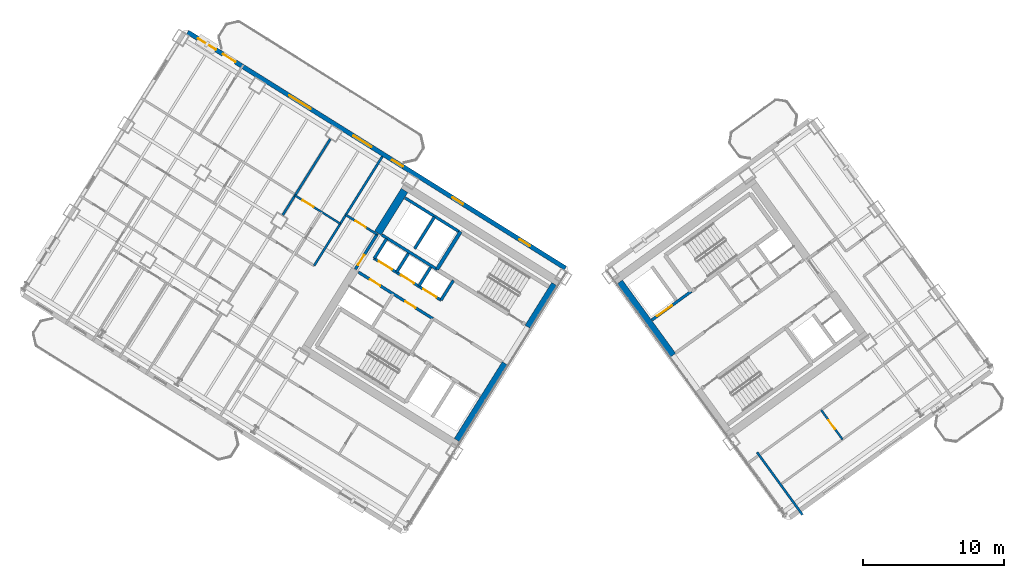
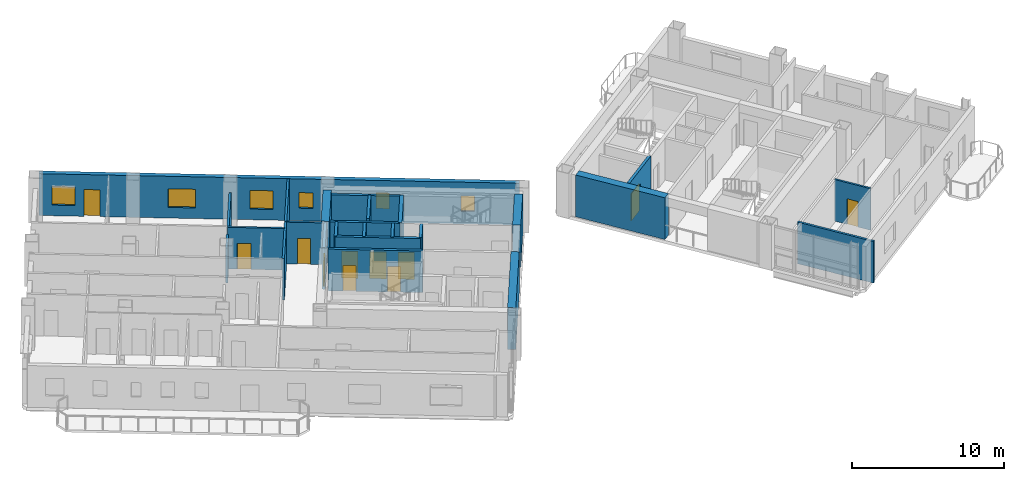
# One storey, part 12 of 19: 23 walls, 11 doors, 6 windows, 17 openings.
"""IFC4 building model written with IfcOpenShell, lengths in metres."""

import ifcopenshell
import ifcopenshell.guid

model = None  # the IFC model being written
_history = None  # IfcOwnerHistory: only IFC2X3 demands one
_inside = {}  # id of a spatial element -> (the spatial element, [elements in it])
_under = {}  # id of a project, library or spatial element -> (it, [spatial elements below it])
_declared = {}  # id of a project -> (the project, [libraries it declares])
_typed = {}  # id of a type object -> (the type object, [elements of that type])
_made_of = {}  # id of a material, layer set ... -> (it, [elements and type objects made of it])


def new_model(schema):
    """Start an empty IFC model of exactly this schema.

    Asked for "IFC4X3", IfcOpenShell would pick the latest addendum, in which some entities
    have other attributes; the version numbers below select the first issue.
    IFC2X3 requires an IfcOwnerHistory on every rooted entity: one is made here for all.
    """
    global model, _history
    if schema == "IFC4X3":
        model = ifcopenshell.file(schema_version=(4, 3, 0, 0))
    else:
        model = ifcopenshell.file(schema=schema)
    _inside.clear()
    _under.clear()
    _declared.clear()
    _typed.clear()
    _made_of.clear()
    _history = None
    if model.schema == "IFC2X3":
        org = make("IfcOrganization", Name="unknown")
        user = make(
            "IfcPersonAndOrganization",
            ThePerson=make("IfcPerson", FamilyName="unknown"),
            TheOrganization=org,
        )
        app = make(
            "IfcApplication",
            ApplicationDeveloper=org,
            Version="unknown",
            ApplicationFullName="unknown",
            ApplicationIdentifier="unknown",
        )
        _history = make(
            "IfcOwnerHistory",
            OwningUser=user,
            OwningApplication=app,
            ChangeAction="ADDED",
            CreationDate=0,
        )
    return model


def make(cls, **values):
    """One entity of the class cls with the attributes given. An attribute that is None is left unset."""
    return model.create_entity(
        cls, **{name: value for name, value in values.items() if value is not None}
    )


def rooted(cls, **values):
    """An entity with a GlobalId (a new one), such as an element, a storey or a relation."""
    return make(cls, GlobalId=ifcopenshell.guid.new(), OwnerHistory=_history, **values)


def si_unit(unit_type, name, prefix=None):
    """IfcSIUnit, for example si_unit("LENGTHUNIT", "METRE", prefix="MILLI")."""
    return make("IfcSIUnit", UnitType=unit_type, Prefix=prefix, Name=name)


def assignment(units):
    """IfcUnitAssignment: the units of a project."""
    return None if units is None else make("IfcUnitAssignment", Units=units)


def point(xyz):
    """IfcCartesianPoint."""
    return None if xyz is None else make("IfcCartesianPoint", Coordinates=xyz)


def direction(xyz):
    """IfcDirection."""
    return None if xyz is None else make("IfcDirection", DirectionRatios=xyz)


def frame(location, z_axis=None, x_axis=None):
    """IfcAxis2Placement3D, a coordinate frame: its origin and axes. An axis left out is left unset."""
    return make(
        "IfcAxis2Placement3D",
        Location=point(location),
        Axis=direction(z_axis),
        RefDirection=direction(x_axis),
    )


def frame_2d(location, x_axis=None):
    """IfcAxis2Placement2D, a coordinate frame in the plane: its origin and x axis."""
    return make(
        "IfcAxis2Placement2D", Location=point(location), RefDirection=direction(x_axis)
    )


def origin():
    """The frame at (0, 0, 0) with its axes left unset."""
    return frame((0.0, 0.0, 0.0))


def place(relative_to, where):
    """IfcLocalPlacement: puts the frame where relative to a parent placement (None: the world)."""
    return make(
        "IfcLocalPlacement", PlacementRelTo=relative_to, RelativePlacement=where
    )


def context(
    kind, dimensions, precision=None, world=None, true_north=None, identifier=None
):
    """IfcGeometricRepresentationContext, for example the 3D "Model" context."""
    return make(
        "IfcGeometricRepresentationContext",
        ContextIdentifier=identifier,
        ContextType=kind,
        CoordinateSpaceDimension=dimensions,
        Precision=precision,
        WorldCoordinateSystem=world,
        TrueNorth=true_north,
    )


def subcontext(parent, identifier, kind, view, scale=None):
    """IfcGeometricRepresentationSubContext, for example "Body" below "Model"."""
    return make(
        "IfcGeometricRepresentationSubContext",
        ContextIdentifier=identifier,
        ContextType=kind,
        ParentContext=parent,
        TargetScale=scale,
        TargetView=view,
    )


def project(units=None, contexts=None):
    """IfcProject with its units and contexts."""
    return rooted(
        "IfcProject",
        Name="project",
        RepresentationContexts=contexts,
        UnitsInContext=assignment(units),
    )


def spatial(cls, under=None, at=None, **own):
    """A site, building, storey or space (cls), placed at a placement, below another one or the project."""
    s = rooted(cls, ObjectPlacement=at, **own)
    if under is not None:
        _under.setdefault(under.id(), (under, []))[1].append(s)
    return s


def profile(cls, at=None, kind="AREA", **sizes):
    """A parametric profile (cls). Its sizes go by their IFC names, for example OverallWidth=200.0."""
    return make(cls, ProfileType=kind, Position=at, **sizes)


def rectangle(**sizes):
    """IfcRectangleProfileDef."""
    return profile("IfcRectangleProfileDef", **sizes)


def extrude(swept, where, along, depth):
    """IfcExtrudedAreaSolid: the profile swept, set in the frame where, extruded along a direction by depth."""
    return make(
        "IfcExtrudedAreaSolid",
        SweptArea=swept,
        Position=where,
        ExtrudedDirection=direction(along),
        Depth=depth,
    )


def shape(context_of_items, identifier, shape_type, items):
    """IfcShapeRepresentation: the items that make up one representation, for example the "Body"."""
    return make(
        "IfcShapeRepresentation",
        ContextOfItems=context_of_items,
        RepresentationIdentifier=identifier,
        RepresentationType=shape_type,
        Items=items,
    )


def source(mapping_origin, context_of_items, identifier, shape_type, items):
    """IfcRepresentationMap: a shape defined once, which mapped items show again and again."""
    return make(
        "IfcRepresentationMap",
        MappingOrigin=mapping_origin,
        MappedRepresentation=shape(context_of_items, identifier, shape_type, items),
    )


def transform(
    local_origin,
    x_axis=None,
    y_axis=None,
    z_axis=None,
    scale=None,
    scale2=None,
    scale3=None,
    uniform=True,
):
    """IfcCartesianTransformationOperator3D, or its non-uniform kind. x_axis, y_axis, z_axis: its Axis1, 2, 3."""
    if uniform:
        return make(
            "IfcCartesianTransformationOperator3D",
            Axis1=direction(x_axis),
            Axis2=direction(y_axis),
            LocalOrigin=point(local_origin),
            Scale=scale,
            Axis3=direction(z_axis),
        )
    return make(
        "IfcCartesianTransformationOperator3DnonUniform",
        Axis1=direction(x_axis),
        Axis2=direction(y_axis),
        LocalOrigin=point(local_origin),
        Scale=scale,
        Axis3=direction(z_axis),
        Scale2=scale2,
        Scale3=scale3,
    )


def mapped(mapping_source, mapping_target):
    """IfcMappedItem: shows the shape of a source again, moved by a transform."""
    return make(
        "IfcMappedItem", MappingSource=mapping_source, MappingTarget=mapping_target
    )


def material(Name=None, Category=None):
    """IfcMaterial."""
    return make("IfcMaterial", Name=Name, Category=Category)


def layer(
    of_material, thickness, ventilated=None, Name=None, Category=None, Priority=None
):
    """IfcMaterialLayer: one layer of a wall or slab, of a material (None: an air gap)."""
    return make(
        "IfcMaterialLayer",
        Material=of_material,
        LayerThickness=thickness,
        IsVentilated=ventilated,
        Name=Name,
        Category=Category,
        Priority=Priority,
    )


def layer_set(layers, Name=None):
    """IfcMaterialLayerSet."""
    return make("IfcMaterialLayerSet", MaterialLayers=layers, LayerSetName=Name)


def made_of(thing, what):
    """Note that an element or type object is made of a material, layer set ...; save() writes the relation."""
    if what is not None:
        _made_of.setdefault(what.id(), (what, []))[1].append(thing)
    return thing


def type_object(cls, material=None, **own):
    """A type object (cls), such as IfcWallType, which elements share."""
    return made_of(rooted(cls, **own), material)


def element(
    cls,
    number,
    at=None,
    inside=None,
    cuts=None,
    type_object=None,
    material=None,
    context=None,
    identifier="Body",
    shape_type=None,
    held_by="IfcProductDefinitionShape",
    body=None,
    shapes=None,
    **own,
):
    """One element of the class cls, such as IfcWall. Its Tag is "e" and its number.

    at: its placement. inside: the storey or other place that contains it. cuts: it is an
    opening in that element (IfcRelVoidsElement). A single representation is given by context,
    identifier, shape_type and body (its items); several are given by shapes. held_by: the class
    of the entity that holds the representations. save() writes the other relations.
    """
    e = rooted(cls, Tag="e%d" % number, ObjectPlacement=at, **own)
    if body is not None:
        shapes = [shape(context, identifier, shape_type, body)]
    if shapes is not None:
        e.Representation = make(held_by, Representations=shapes)
    if inside is not None:
        _inside.setdefault(inside.id(), (inside, []))[1].append(e)
    if cuts is not None:
        rooted(
            "IfcRelVoidsElement", RelatingBuildingElement=cuts, RelatedOpeningElement=e
        )
    if type_object is not None:
        _typed.setdefault(type_object.id(), (type_object, []))[1].append(e)
    return made_of(e, material)


def fill(opening, filler):
    """IfcRelFillsElement: the door or window that sits in an opening."""
    return rooted(
        "IfcRelFillsElement",
        RelatingOpeningElement=opening,
        RelatedBuildingElement=filler,
    )


def aggregate(whole, parts):
    """IfcRelAggregates: a whole, such as a stair, and the parts it consists of."""
    return rooted("IfcRelAggregates", RelatingObject=whole, RelatedObjects=parts)


def save(model, path):
    """Write the relations noted so far, then the file.

    IfcRelAggregates (storeys below a building ...), IfcRelContainedInSpatialStructure (elements
    in a storey), IfcRelDefinesByType, IfcRelAssociatesMaterial and IfcRelDeclares: one each for
    every whole, place, type object, material and project.
    """
    for whole, parts in _under.values():
        aggregate(whole, parts)
    for where, things in _inside.values():
        rooted(
            "IfcRelContainedInSpatialStructure",
            RelatedElements=things,
            RelatingStructure=where,
        )
    for kind, things in _typed.values():
        rooted("IfcRelDefinesByType", RelatedObjects=things, RelatingType=kind)
    for what, things in _made_of.values():
        rooted("IfcRelAssociatesMaterial", RelatedObjects=things, RelatingMaterial=what)
    for by, libraries in _declared.values():
        rooted("IfcRelDeclares", RelatingContext=by, RelatedDefinitions=libraries)
    model.write(path)


model = new_model("IFC4")

# Units and contexts
model_context = context("Model", 3, precision=1e-05, world=origin(), true_north=direction((0.0, 1.0)))
body_context = subcontext(model_context, "Body", "Model", "MODEL_VIEW")
ifc_project = project(units=[si_unit("LENGTHUNIT", "METRE"), si_unit("AREAUNIT", "SQUARE_METRE"), si_unit("VOLUMEUNIT", "CUBIC_METRE"), si_unit("PLANEANGLEUNIT", "RADIAN"), si_unit("MASSUNIT", "GRAM", prefix="KILO")], contexts=[model_context])

# Site, building, storey
site_placement = place(None, origin())
site = spatial("IfcSite", under=ifc_project, at=site_placement, CompositionType="ELEMENT")
building_placement = place(site_placement, origin())
building = spatial("IfcBuilding", under=site, at=building_placement, Name="Tlacorven Tower", CompositionType="ELEMENT")
storey_placement = place(building_placement, frame((0.0, 0.0, 147.89990234375)))
storey = spatial("IfcBuildingStorey", under=building, at=storey_placement, Name="L37", CompositionType="ELEMENT", Elevation=147.89990234375)

# Walls
ifc_material_1 = material(Name="Concrete C60/75", Category="concrete")
ifc_layer_1 = layer(ifc_material_1, 0.550048828125)
ifc_layer_set_1 = layer_set([ifc_layer_1], Name="Concrete C60/75")
wall_type_1 = type_object("IfcWallType", Name="WL-COR-550", PredefinedType="SHEAR", material=ifc_layer_set_1)
wall_1_placement = place(storey_placement, frame((40.194091796875, 23.92236328125, 0.0), z_axis=(0.0, 0.0, 1.0), x_axis=(-0.529888438328, -0.848067357541, 0.0)))
element("IfcWall", 1, at=wall_1_placement, inside=storey, type_object=wall_type_1, Name="L37 W core end wall E1.1", PredefinedType="SHEAR", context=body_context, shape_type="SweptSolid", body=[
    extrude(rectangle(XDim=3.574951171875, YDim=0.550048828125, at=frame_2d((1.78759765625, 0.0))), origin(), (0.0, 0.0, 1.0), 3.35009765625),
])
wall_2_placement = place(storey_placement, frame((36.683349609375, 18.30419921875, 0.0), z_axis=(0.0, 0.0, 1.0), x_axis=(-0.529896466841, -0.848062341122, 0.0)))
element("IfcWall", 2, at=wall_2_placement, inside=storey, type_object=wall_type_1, Name="L37 W core end wall E1.2", PredefinedType="SHEAR", context=body_context, shape_type="SweptSolid", body=[
    extrude(rectangle(XDim=6.4248046875, YDim=0.550048828125, at=frame_2d((3.21240234375, 0.0))), origin(), (0.0, 0.0, 1.0), 3.35009765625),
])
wall_3_placement = place(storey_placement, frame((29.517333984375, 30.59423828125, 0.0), z_axis=(0.0, 0.0, 1.0), x_axis=(-0.529906864564, -0.848055844204, 0.0)))
element("IfcWall", 3, at=wall_3_placement, inside=storey, type_object=wall_type_1, Name="L37 W core end wall E2.1", PredefinedType="SHEAR", context=body_context, shape_type="SweptSolid", body=[
    extrude(rectangle(XDim=3.5751953125, YDim=0.550048828125, at=frame_2d((1.78759765625, 0.0))), origin(), (0.0, 0.0, 1.0), 3.35009765625),
])
wall_4_placement = place(storey_placement, frame((48.525634765625, 18.883544921875, 0.0), z_axis=(0.0, 0.0, 1.0), x_axis=(-0.587764933797, 0.809031756236, 0.0)))
element("IfcWall", 4, at=wall_4_placement, inside=storey, type_object=wall_type_1, Name="L37 E core end wall E1.2", PredefinedType="SHEAR", context=body_context, shape_type="SweptSolid", body=[
    extrude(rectangle(XDim=6.425048828125, YDim=0.550048828125, at=frame_2d((3.21240234375, 0.0))), origin(), (0.0, 0.0, 1.0), 3.35009765625),
])

# Wall, opening, door
ifc_material_2 = material(Name="Gypsum plasterboard acoustic partition", Category="gypsum")
ifc_layer_2 = layer(ifc_material_2, 0.159912109375)
ifc_layer_set_2 = layer_set([ifc_layer_2], Name="Gypsum plasterboard acoustic partition")
wall_type_2 = type_object("IfcWallType", Name="WL-DEM-160", PredefinedType="PARTITIONING", material=ifc_layer_set_2)
wall_5_placement = place(storey_placement, frame((27.56982421875, 27.4775390625, 0.0), z_axis=(0.0, 0.0, 1.0), x_axis=(-0.848050851465, 0.529914854792, 0.0)))
wall_5 = element("IfcWall", 5, at=wall_5_placement, inside=storey, type_object=wall_type_2, Name="L37 partition 46", PredefinedType="PARTITIONING", context=body_context, shape_type="SweptSolid", body=[
    extrude(rectangle(XDim=2.60986328125, YDim=0.159912109375, at=frame_2d((1.304931640625, 0.0))), origin(), (0.0, 0.0, 1.0), 3.340087890625),
])
opening_1_placement = place(wall_5_placement, frame((0.949951171875, 0.0, 0.0)))
opening_1 = element("IfcOpeningElement", 6, at=opening_1_placement, cuts=wall_5, Name="Opening D19", PredefinedType="OPENING", context=body_context, shape_type="SweptSolid", body=[
    extrude(rectangle(XDim=0.860107421875, YDim=2.050048828125, at=frame_2d((0.43017578125, 1.02490234375))), frame((0.0, 0.08984375, 0.0), z_axis=(0.0, -1.0, 0.0), x_axis=(1.0, 0.0, 0.0)), (0.0, 0.0, 1.0), 0.179931640625),
])
ifc_material_3 = material(Name="Fire-rated steel door assembly", Category="steel")
door_type_1 = type_object("IfcDoorType", Name="DR-RSR-FD60-0860", OperationType="NOTDEFINED", PredefinedType="DOOR", material=ifc_material_3)
shared_shape_1 = source(origin(), body_context, "Body", "SweptSolid", [
    extrude(rectangle(XDim=0.860107421875, YDim=2.050048828125, at=frame_2d((0.43017578125, 1.02490234375))), frame((0.0, 0.02490234375, 0.0), z_axis=(0.0, -1.0, 0.0), x_axis=(1.0, 0.0, 0.0)), (0.0, 0.0, 1.0), 0.050048828125),
])
door_1_placement = place(opening_1_placement, frame((0.860107421875, 0.0, 0.0), z_axis=(0.0, 0.0, 1.0), x_axis=(-1.0, 0.0, 0.0)))
door_1 = element("IfcDoor", 7, at=door_1_placement, inside=storey, type_object=door_type_1, Name="L37 door 023", OperationType="SINGLE_SWING_RIGHT", OverallHeight=2.050048828125, OverallWidth=0.860107421875, PredefinedType="DOOR", context=body_context, shape_type="MappedRepresentation", body=[
    mapped(shared_shape_1, transform((0.0, 0.0, 0.0), scale=1.0)),
])
fill(opening_1, door_1)

# Walls
wall_6_placement = place(storey_placement, frame((27.952880859375, 33.01611328125, 0.0), z_axis=(0.0, 0.0, 1.0), x_axis=(-0.529903001606, -0.848058257957, 0.0)))
element("IfcWall", 8, at=wall_6_placement, inside=storey, type_object=wall_type_2, Name="L37 partition 48", PredefinedType="PARTITIONING", context=body_context, shape_type="SweptSolid", body=[
    extrude(rectangle(XDim=9.150146484375, YDim=0.159912109375, at=frame_2d((4.5751953125, 0.0))), origin(), (0.0, 0.0, 1.0), 3.340087890625),
])
wall_7_placement = place(storey_placement, frame((24.255615234375, 34.2509765625, 0.0), z_axis=(0.0, 0.0, 1.0), x_axis=(-0.529919772691, -0.848047778437, 0.0)))
element("IfcWall", 9, at=wall_7_placement, inside=storey, type_object=wall_type_2, Name="L37 WS Demising Wall 1", PredefinedType="PARTITIONING", context=body_context, shape_type="SweptSolid", body=[
    extrude(rectangle(XDim=6.375732421875, YDim=0.159912109375, at=frame_2d((3.18798828125, 0.0))), origin(), (0.0, 0.0, 1.0), 2.775146484375),
])
wall_8_placement = place(storey_placement, frame((57.747314453125, 7.586181640625, 0.0), z_axis=(0.0, 0.0, 1.0), x_axis=(-0.587784893399, 0.809017255126, 0.0)))
element("IfcWall", 10, at=wall_8_placement, inside=storey, type_object=wall_type_2, Name="L37 EC West Throat Wall", PredefinedType="PARTITIONING", context=body_context, shape_type="SweptSolid", body=[
    extrude(rectangle(XDim=5.480224609375, YDim=0.159912109375, at=frame_2d((2.740234375, 0.0))), origin(), (0.0, 0.0, 1.0), 3.340087890625),
])

# Wall, openings, door, windows
ifc_material_4 = material(Name="Precast concrete C45/55", Category="concrete")
ifc_layer_3 = layer(ifc_material_4, 0.320068359375)
ifc_layer_set_3 = layer_set([ifc_layer_3], Name="Precast concrete C45/55")
wall_type_3 = type_object("IfcWallType", Name="WL-EXT-320", PredefinedType="STANDARD", material=ifc_layer_set_3)
wall_9_placement = place(storey_placement, frame((14.13818359375, 41.825439453125, 0.0), z_axis=(0.0, 0.0, 1.0), x_axis=(0.848046498049, -0.529921821731, 0.0)))
wall_9 = element("IfcWall", 11, at=wall_9_placement, inside=storey, type_object=wall_type_3, Name="L37 Masonry-Frame Recessed Facade Wall 3", PredefinedType="STANDARD", context=body_context, shape_type="SweptSolid", body=[
    extrude(rectangle(XDim=31.587646484375, YDim=0.320068359375, at=frame_2d((15.7939453125, 0.0))), origin(), (0.0, 0.0, 1.0), 3.35009765625),
])
opening_2_placement = place(wall_9_placement, frame((2.94873046875, 0.0, 0.0)))
opening_2 = element("IfcOpeningElement", 12, at=opening_2_placement, cuts=wall_9, Name="Opening D06", PredefinedType="OPENING", context=body_context, shape_type="SweptSolid", body=[
    extrude(rectangle(XDim=1.050048828125, YDim=2.14990234375, at=frame_2d((0.52490234375, 1.074951171875))), frame((0.0, 0.169921875, 0.0), z_axis=(0.0, -1.0, 0.0), x_axis=(1.0, 0.0, 0.0)), (0.0, 0.0, 1.0), 0.340087890625),
])
opening_3_placement = place(wall_9_placement, frame((0.861083984375, 0.0, 0.85009765625)))
opening_3 = element("IfcOpeningElement", 13, at=opening_3_placement, cuts=wall_9, Name="Opening WN02", PredefinedType="OPENING", context=body_context, shape_type="SweptSolid", body=[
    extrude(rectangle(XDim=1.5, YDim=1.5, at=frame_2d((0.75, 0.75))), frame((0.0, 0.169921875, 0.0), z_axis=(0.0, -1.0, 0.0), x_axis=(1.0, 0.0, 0.0)), (0.0, 0.0, 1.0), 0.340087890625),
])
opening_4_placement = place(wall_9_placement, frame((8.49365234375, 0.0, 0.85009765625)))
opening_4 = element("IfcOpeningElement", 14, at=opening_4_placement, cuts=wall_9, Name="Opening WN01", PredefinedType="OPENING", context=body_context, shape_type="SweptSolid", body=[
    extrude(rectangle(XDim=1.800048828125, YDim=1.5, at=frame_2d((0.89990234375, 0.75))), frame((0.0, 0.169921875, 0.0), z_axis=(0.0, -1.0, 0.0), x_axis=(1.0, 0.0, 0.0)), (0.0, 0.0, 1.0), 0.340087890625),
])
opening_5_placement = place(wall_9_placement, frame((13.873779296875, 0.0, 0.85009765625)))
opening_5 = element("IfcOpeningElement", 15, at=opening_5_placement, cuts=wall_9, Name="Opening WN02", PredefinedType="OPENING", context=body_context, shape_type="SweptSolid", body=[
    extrude(rectangle(XDim=1.5, YDim=1.5, at=frame_2d((0.75, 0.75))), frame((0.0, 0.169921875, 0.0), z_axis=(0.0, -1.0, 0.0), x_axis=(1.0, 0.0, 0.0)), (0.0, 0.0, 1.0), 0.340087890625),
])
opening_6_placement = place(wall_9_placement, frame((17.103759765625, 0.0, 1.0)))
opening_6 = element("IfcOpeningElement", 16, at=opening_6_placement, cuts=wall_9, Name="Opening WN05", PredefinedType="OPENING", context=body_context, shape_type="SweptSolid", body=[
    extrude(rectangle(XDim=0.89990234375, YDim=1.25, at=frame_2d((0.449951171875, 0.625))), frame((0.0, 0.169921875, 0.0), z_axis=(0.0, -1.0, 0.0), x_axis=(1.0, 0.0, 0.0)), (0.0, 0.0, 1.0), 0.340087890625),
])
opening_7_placement = place(wall_9_placement, frame((22.143798828125, 0.0, 1.0)))
opening_7 = element("IfcOpeningElement", 17, at=opening_7_placement, cuts=wall_9, Name="Opening WN05", PredefinedType="OPENING", context=body_context, shape_type="SweptSolid", body=[
    extrude(rectangle(XDim=0.89990234375, YDim=1.25, at=frame_2d((0.449951171875, 0.625))), frame((0.0, 0.169921875, 0.0), z_axis=(0.0, -1.0, 0.0), x_axis=(1.0, 0.0, 0.0)), (0.0, 0.0, 1.0), 0.340087890625),
])
opening_8_placement = place(wall_9_placement, frame((27.74365234375, 0.0, 1.0)))
opening_8 = element("IfcOpeningElement", 18, at=opening_8_placement, cuts=wall_9, Name="Opening WN05", PredefinedType="OPENING", context=body_context, shape_type="SweptSolid", body=[
    extrude(rectangle(XDim=0.89990234375, YDim=1.25, at=frame_2d((0.449951171875, 0.625))), frame((0.0, 0.169921875, 0.0), z_axis=(0.0, -1.0, 0.0), x_axis=(1.0, 0.0, 0.0)), (0.0, 0.0, 1.0), 0.340087890625),
])
ifc_material_5 = material(Name="Powder-coated aluminium and timber door", Category="wood")
door_type_2 = type_object("IfcDoorType", Name="DR-EXT-BALC-1050", OperationType="NOTDEFINED", PredefinedType="DOOR", material=ifc_material_5)
shared_shape_2 = source(origin(), body_context, "Body", "SweptSolid", [
    extrude(rectangle(XDim=1.050048828125, YDim=2.14990234375, at=frame_2d((0.52490234375, 1.074951171875))), frame((0.0, 0.02490234375, 0.0), z_axis=(0.0, -1.0, 0.0), x_axis=(1.0, 0.0, 0.0)), (0.0, 0.0, 1.0), 0.050048828125),
])
door_2_placement = place(opening_2_placement, origin())
door_2 = element("IfcDoor", 19, at=door_2_placement, inside=storey, type_object=door_type_2, Name="L37 Outdoor Access Door BAL-L37-W-IN", OperationType="SINGLE_SWING_RIGHT", OverallHeight=2.14990234375, OverallWidth=1.050048828125, PredefinedType="DOOR", context=body_context, shape_type="MappedRepresentation", body=[
    mapped(shared_shape_2, transform((0.0, 0.0, 0.0), scale=1.0)),
])
fill(opening_2, door_2)
ifc_material_6 = material(Name="Dark solar low-E double glazing in anodised aluminium frame", Category="aluminium")
window_type_1 = type_object("IfcWindowType", Name="WN-APT-1800X1650", PartitioningType="SINGLE_PANEL", PredefinedType="WINDOW", material=ifc_material_6)
shared_shape_3 = source(origin(), body_context, "Body", "SweptSolid", [
    extrude(rectangle(XDim=1.800048828125, YDim=1.5, at=frame_2d((0.89990234375, 0.75))), frame((0.0, 0.030029296875, 0.0), z_axis=(0.0, -1.0, 0.0), x_axis=(1.0, 0.0, 0.0)), (0.0, 0.0, 1.0), 0.06005859375),
])
window_1_placement = place(opening_4_placement, origin())
window_1 = element("IfcWindow", 20, at=window_1_placement, inside=storey, type_object=window_type_1, Name="L37 Recessed Masonry-Frame Window L37-03.2", OverallHeight=1.5, OverallWidth=1.800048828125, PartitioningType="SINGLE_PANEL", PredefinedType="WINDOW", context=body_context, shape_type="MappedRepresentation", body=[
    mapped(shared_shape_3, transform((0.0, 0.0, 0.0), scale=1.0)),
])
fill(opening_4, window_1)
window_type_2 = type_object("IfcWindowType", Name="WN-APT-1500X1650", PartitioningType="SINGLE_PANEL", PredefinedType="WINDOW", material=ifc_material_6)
shared_shape_4 = source(origin(), body_context, "Body", "SweptSolid", [
    extrude(rectangle(XDim=1.5, YDim=1.5, at=frame_2d((0.75, 0.75))), frame((0.0, 0.030029296875, 0.0), z_axis=(0.0, -1.0, 0.0), x_axis=(1.0, 0.0, 0.0)), (0.0, 0.0, 1.0), 0.06005859375),
])
window_2_placement = place(opening_3_placement, origin())
window_2 = element("IfcWindow", 21, at=window_2_placement, inside=storey, type_object=window_type_2, Name="L37 Recessed Masonry-Frame Window L37-03.1", OverallHeight=1.5, OverallWidth=1.5, PartitioningType="SINGLE_PANEL", PredefinedType="WINDOW", context=body_context, shape_type="MappedRepresentation", body=[
    mapped(shared_shape_4, transform((0.0, 0.0, 0.0), scale=1.0)),
])
fill(opening_3, window_2)
window_3_placement = place(opening_5_placement, origin())
window_3 = element("IfcWindow", 22, at=window_3_placement, inside=storey, type_object=window_type_2, Name="L37 Recessed Masonry-Frame Window L37-03.3", OverallHeight=1.5, OverallWidth=1.5, PartitioningType="SINGLE_PANEL", PredefinedType="WINDOW", context=body_context, shape_type="MappedRepresentation", body=[
    mapped(shared_shape_4, transform((0.0, 0.0, 0.0), scale=1.0)),
])
fill(opening_5, window_3)
window_type_3 = type_object("IfcWindowType", Name="WN-APT-0900X1350", PartitioningType="SINGLE_PANEL", PredefinedType="WINDOW", material=ifc_material_6)
shared_shape_5 = source(origin(), body_context, "Body", "SweptSolid", [
    extrude(rectangle(XDim=0.89990234375, YDim=1.25, at=frame_2d((0.449951171875, 0.625))), frame((0.0, 0.030029296875, 0.0), z_axis=(0.0, -1.0, 0.0), x_axis=(1.0, 0.0, 0.0)), (0.0, 0.0, 1.0), 0.06005859375),
])
window_4_placement = place(opening_6_placement, origin())
window_4 = element("IfcWindow", 23, at=window_4_placement, inside=storey, type_object=window_type_3, Name="L37 Recessed Masonry-Frame Window L37-03.4", OverallHeight=1.25, OverallWidth=0.89990234375, PartitioningType="SINGLE_PANEL", PredefinedType="WINDOW", context=body_context, shape_type="MappedRepresentation", body=[
    mapped(shared_shape_5, transform((0.0, 0.0, 0.0), scale=1.0)),
])
fill(opening_6, window_4)
window_5_placement = place(opening_7_placement, origin())
window_5 = element("IfcWindow", 24, at=window_5_placement, inside=storey, type_object=window_type_3, Name="L37 Recessed Masonry-Frame Window L37-03.5", OverallHeight=1.25, OverallWidth=0.89990234375, PartitioningType="SINGLE_PANEL", PredefinedType="WINDOW", context=body_context, shape_type="MappedRepresentation", body=[
    mapped(shared_shape_5, transform((0.0, 0.0, 0.0), scale=1.0)),
])
fill(opening_7, window_5)
window_6_placement = place(opening_8_placement, origin())
window_6 = element("IfcWindow", 25, at=window_6_placement, inside=storey, type_object=window_type_3, Name="L37 Recessed Masonry-Frame Window L37-03.6", OverallHeight=1.25, OverallWidth=0.89990234375, PartitioningType="SINGLE_PANEL", PredefinedType="WINDOW", context=body_context, shape_type="MappedRepresentation", body=[
    mapped(shared_shape_5, transform((0.0, 0.0, 0.0), scale=1.0)),
])
fill(opening_8, window_6)

# Wall, opening, door
ifc_material_7 = material(Name="Moisture-resistant gypsum plumbing wall", Category="gypsum")
ifc_layer_4 = layer(ifc_material_7, 0.139892578125)
ifc_layer_set_4 = layer_set([ifc_layer_4], Name="Moisture-resistant gypsum plumbing wall")
wall_type_4 = type_object("IfcWallType", Name="WL-PLM-140", PredefinedType="PLUMBINGWALL", material=ifc_layer_set_4)
wall_10_placement = place(storey_placement, frame((24.96435546875, 28.233154296875, 0.0), z_axis=(0.0, 0.0, 1.0), x_axis=(-0.848059820872, 0.529900500304, 0.0)))
wall_10 = element("IfcWall", 26, at=wall_10_placement, inside=storey, type_object=wall_type_4, Name="L37 partition 66", PredefinedType="PLUMBINGWALL", context=body_context, shape_type="SweptSolid", body=[
    extrude(rectangle(XDim=3.7900390625, YDim=0.139892578125, at=frame_2d((1.89501953125, 0.0))), origin(), (0.0, 0.0, 1.0), 3.340087890625),
])
opening_9_placement = place(wall_10_placement, frame((2.22998046875, 0.0, 0.0)))
opening_9 = element("IfcOpeningElement", 27, at=opening_9_placement, cuts=wall_10, Name="Opening D12", PredefinedType="OPENING", context=body_context, shape_type="SweptSolid", body=[
    extrude(rectangle(XDim=0.919921875, YDim=2.080078125, at=frame_2d((0.4599609375, 1.0400390625))), frame((0.0, 0.080078125, 0.0), z_axis=(0.0, -1.0, 0.0), x_axis=(1.0, 0.0, 0.0)), (0.0, 0.0, 1.0), 0.159912109375),
])
door_type_3 = type_object("IfcDoorType", Name="DR-INT-ROOM-0920", OperationType="NOTDEFINED", PredefinedType="DOOR", material=ifc_material_5)
shared_shape_6 = source(origin(), body_context, "Body", "SweptSolid", [
    extrude(rectangle(XDim=0.919921875, YDim=2.080078125, at=frame_2d((0.4599609375, 1.0400390625))), frame((0.0, 0.02490234375, 0.0), z_axis=(0.0, -1.0, 0.0), x_axis=(1.0, 0.0, 0.0)), (0.0, 0.0, 1.0), 0.050048828125),
])
door_3_placement = place(opening_9_placement, origin())
door_3 = element("IfcDoor", 28, at=door_3_placement, inside=storey, type_object=door_type_3, Name="L37 door 039", OperationType="SINGLE_SWING_LEFT", OverallHeight=2.080078125, OverallWidth=0.919921875, PredefinedType="DOOR", context=body_context, shape_type="MappedRepresentation", body=[
    mapped(shared_shape_6, transform((0.0, 0.0, 0.0), scale=1.0)),
])
fill(opening_9, door_3)

wall_11_placement = place(storey_placement, frame((60.584716796875, 12.935791015625, 0.0), z_axis=(0.0, 0.0, 1.0), x_axis=(-0.587772116736, 0.809026537752, 0.0)))
wall_11 = element("IfcWall", 29, at=wall_11_placement, inside=storey, type_object=wall_type_4, Name="L37 partition 87", PredefinedType="PLUMBINGWALL", context=body_context, shape_type="SweptSolid", body=[
    extrude(rectangle(XDim=2.579833984375, YDim=0.139892578125, at=frame_2d((1.2900390625, 0.0))), origin(), (0.0, 0.0, 1.0), 3.340087890625),
])
opening_10_placement = place(wall_11_placement, frame((0.89990234375, 0.0, 0.0)))
opening_10 = element("IfcOpeningElement", 30, at=opening_10_placement, cuts=wall_11, Name="Opening D22", PredefinedType="OPENING", context=body_context, shape_type="SweptSolid", body=[
    extrude(rectangle(XDim=0.780029296875, YDim=2.050048828125, at=frame_2d((0.39013671875, 1.02490234375))), frame((0.0, 0.080078125, 0.0), z_axis=(0.0, -1.0, 0.0), x_axis=(1.0, 0.0, 0.0)), (0.0, 0.0, 1.0), 0.159912109375),
])
door_type_4 = type_object("IfcDoorType", Name="DR-INT-WET-0780", OperationType="NOTDEFINED", PredefinedType="DOOR", material=ifc_material_5)
shared_shape_7 = source(origin(), body_context, "Body", "SweptSolid", [
    extrude(rectangle(XDim=0.780029296875, YDim=2.050048828125, at=frame_2d((0.39013671875, 1.02490234375))), frame((0.0, 0.02490234375, 0.0), z_axis=(0.0, -1.0, 0.0), x_axis=(1.0, 0.0, 0.0)), (0.0, 0.0, 1.0), 0.050048828125),
])
door_4_placement = place(opening_10_placement, origin())
door_4 = element("IfcDoor", 31, at=door_4_placement, inside=storey, type_object=door_type_4, Name="L37 door 055", OperationType="SINGLE_SWING_LEFT", OverallHeight=2.050048828125, OverallWidth=0.780029296875, PredefinedType="DOOR", context=body_context, shape_type="MappedRepresentation", body=[
    mapped(shared_shape_7, transform((0.0, 0.0, 0.0), scale=1.0)),
])
fill(opening_10, door_4)

# Wall
ifc_material_8 = material(Name="Concrete C40/50", Category="concrete")
ifc_layer_5 = layer(ifc_material_8, 0.199951171875)
ifc_layer_set_5 = layer_set([ifc_layer_5], Name="Concrete C40/50")
wall_type_5 = type_object("IfcWallType", Name="WL-SHF-200", PredefinedType="STANDARD", material=ifc_layer_set_5)
wall_12_placement = place(storey_placement, frame((31.82177734375, 24.99755859375, 0.0), z_axis=(0.0, 0.0, 1.0), x_axis=(-0.848036912365, 0.52993716162, 0.0)))
element("IfcWall", 32, at=wall_12_placement, inside=storey, type_object=wall_type_5, Name="L37 Core W South Lift Shaft Wall", PredefinedType="STANDARD", context=body_context, shape_type="SweptSolid", body=[
    extrude(rectangle(XDim=4.617919921875, YDim=0.199951171875, at=frame_2d((2.30908203125, 0.0))), origin(), (0.0, 0.0, 1.0), 3.340087890625),
])

# Wall, openings, doors
wall_13_placement = place(storey_placement, frame((32.108154296875, 22.81396484375, 0.0), z_axis=(0.0, 0.0, 1.0), x_axis=(-0.848042229521, 0.529928652696, 0.0)))
wall_13 = element("IfcWall", 33, at=wall_13_placement, inside=storey, type_object=wall_type_5, Name="L37 partition 11", PredefinedType="STANDARD", context=body_context, shape_type="SweptSolid", body=[
    extrude(rectangle(XDim=5.6201171875, YDim=0.199951171875, at=frame_2d((2.81005859375, 0.0))), origin(), (0.0, 0.0, 1.0), 3.340087890625),
])
opening_11_placement = place(wall_13_placement, frame((0.389892578125, 0.0, 0.0)))
opening_11 = element("IfcOpeningElement", 34, at=opening_11_placement, cuts=wall_13, Name="Opening LD01", PredefinedType="OPENING", context=body_context, shape_type="SweptSolid", body=[
    extrude(rectangle(XDim=1.10009765625, YDim=2.14990234375, at=frame_2d((0.550048828125, 1.074951171875))), frame((0.0, 0.10986328125, 0.0), z_axis=(0.0, -1.0, 0.0), x_axis=(1.0, 0.0, 0.0)), (0.0, 0.0, 1.0), 0.219970703125),
])
opening_12_placement = place(wall_13_placement, frame((2.25, 0.0, 0.0)))
opening_12 = element("IfcOpeningElement", 35, at=opening_12_placement, cuts=wall_13, Name="Opening LD01", PredefinedType="OPENING", context=body_context, shape_type="SweptSolid", body=[
    extrude(rectangle(XDim=1.10009765625, YDim=2.14990234375, at=frame_2d((0.550048828125, 1.074951171875))), frame((0.0, 0.10986328125, 0.0), z_axis=(0.0, -1.0, 0.0), x_axis=(1.0, 0.0, 0.0)), (0.0, 0.0, 1.0), 0.219970703125),
])
opening_13_placement = place(wall_13_placement, frame((4.110107421875, 0.0, 0.0)))
opening_13 = element("IfcOpeningElement", 36, at=opening_13_placement, cuts=wall_13, Name="Opening LD01", PredefinedType="OPENING", context=body_context, shape_type="SweptSolid", body=[
    extrude(rectangle(XDim=1.10009765625, YDim=2.14990234375, at=frame_2d((0.550048828125, 1.074951171875))), frame((0.0, 0.10986328125, 0.0), z_axis=(0.0, -1.0, 0.0), x_axis=(1.0, 0.0, 0.0)), (0.0, 0.0, 1.0), 0.219970703125),
])
door_type_5 = type_object("IfcDoorType", Name="DR-LFT-SLID-1100", OperationType="DOUBLE_DOOR_SLIDING", PredefinedType="DOOR", material=ifc_material_3)
shared_shape_8 = source(origin(), body_context, "Body", "SweptSolid", [
    extrude(rectangle(XDim=1.10009765625, YDim=2.14990234375, at=frame_2d((0.550048828125, 1.074951171875))), frame((0.0, 0.02490234375, 0.0), z_axis=(0.0, -1.0, 0.0), x_axis=(1.0, 0.0, 0.0)), (0.0, 0.0, 1.0), 0.050048828125),
])
door_5_placement = place(opening_11_placement, origin())
door_5 = element("IfcDoor", 37, at=door_5_placement, inside=storey, type_object=door_type_5, Name="L37 Lift PL-M1 Sliding Landing Door", OperationType="DOUBLE_DOOR_SLIDING", OverallHeight=2.14990234375, OverallWidth=1.10009765625, PredefinedType="DOOR", context=body_context, shape_type="MappedRepresentation", body=[
    mapped(shared_shape_8, transform((0.0, 0.0, 0.0), scale=1.0)),
])
fill(opening_11, door_5)
door_6_placement = place(opening_12_placement, origin())
door_6 = element("IfcDoor", 38, at=door_6_placement, inside=storey, type_object=door_type_5, Name="L37 Lift PL-M2 Sliding Landing Door", OperationType="DOUBLE_DOOR_SLIDING", OverallHeight=2.14990234375, OverallWidth=1.10009765625, PredefinedType="DOOR", context=body_context, shape_type="MappedRepresentation", body=[
    mapped(shared_shape_8, transform((0.0, 0.0, 0.0), scale=1.0)),
])
fill(opening_12, door_6)
door_7_placement = place(opening_13_placement, origin())
door_7 = element("IfcDoor", 39, at=door_7_placement, inside=storey, type_object=door_type_5, Name="L37 Lift PL-M3 Sliding Landing Door", OperationType="DOUBLE_DOOR_SLIDING", OverallHeight=2.14990234375, OverallWidth=1.10009765625, PredefinedType="DOOR", context=body_context, shape_type="MappedRepresentation", body=[
    mapped(shared_shape_8, transform((0.0, 0.0, 0.0), scale=1.0)),
])
fill(opening_13, door_7)

# Walls
wall_14_placement = place(storey_placement, frame((32.982421875, 24.21337890625, 0.0), z_axis=(0.0, 0.0, 1.0), x_axis=(-0.529839334948, -0.84809803628, 0.0)))
element("IfcWall", 40, at=wall_14_placement, inside=storey, type_object=wall_type_5, Name="L37 partition 12", PredefinedType="STANDARD", context=body_context, shape_type="SweptSolid", body=[
    extrude(rectangle(XDim=1.650146484375, YDim=0.199951171875, at=frame_2d((0.8251953125, 0.0))), origin(), (0.0, 0.0, 1.0), 3.340087890625),
])
wall_15_placement = place(storey_placement, frame((28.250244140625, 27.170166015625, 0.0), z_axis=(0.0, 0.0, 1.0), x_axis=(-0.529905827651, -0.848056492117, 0.0)))
element("IfcWall", 41, at=wall_15_placement, inside=storey, type_object=wall_type_5, Name="L37 partition 13", PredefinedType="STANDARD", context=body_context, shape_type="SweptSolid", body=[
    extrude(rectangle(XDim=1.64990234375, YDim=0.199951171875, at=frame_2d((0.824951171875, 0.0))), origin(), (0.0, 0.0, 1.0), 3.340087890625),
])
wall_16_placement = place(storey_placement, frame((31.645263671875, 28.716064453125, 0.0), z_axis=(0.0, 0.0, 1.0), x_axis=(-0.52986693015, -0.848080795876, 0.0)))
element("IfcWall", 42, at=wall_16_placement, inside=storey, type_object=wall_type_5, Name="L37 partition 15", PredefinedType="STANDARD", context=body_context, shape_type="SweptSolid", body=[
    extrude(rectangle(XDim=2.659912109375, YDim=0.199951171875, at=frame_2d((1.330078125, 0.0))), origin(), (0.0, 0.0, 1.0), 3.340087890625),
])
wall_17_placement = place(storey_placement, frame((33.362548828125, 27.690185546875, 0.0), z_axis=(0.0, 0.0, 1.0), x_axis=(-0.848047090064, 0.529920874315, 0.0)))
element("IfcWall", 43, at=wall_17_placement, inside=storey, type_object=wall_type_5, Name="L37 partition 17", PredefinedType="STANDARD", context=body_context, shape_type="SweptSolid", body=[
    extrude(rectangle(XDim=4.498046875, YDim=0.199951171875, at=frame_2d((2.2490234375, 0.0))), origin(), (0.0, 0.0, 1.0), 3.340087890625),
])
for number, where, z_axis, x_axis, name in (
    (44, (31.378662109375, 25.156494140625, 0.0), (0.0, 0.0, 1.0), (-0.529998940003, -0.847998304005, 0.0), "L37 partition 18"),
    (45, (29.80126953125, 26.14208984375, 0.0), (0.0, 0.0, 1.0), (-0.529998940003, -0.847998304005, 0.0), "L37 partition 19"),
):
    element("IfcWall", number, at=place(storey_placement, frame(where, z_axis=z_axis, x_axis=x_axis)), inside=storey, type_object=wall_type_5, Name=name, PredefinedType="STANDARD", context=body_context, shape_type="SweptSolid", body=[
        extrude(rectangle(XDim=1.580078125, YDim=0.199951171875, at=frame_2d((0.7900390625, 0.0))), origin(), (0.0, 0.0, 1.0), 3.340087890625),
    ])

# Wall, openings, doors
wall_18_placement = place(storey_placement, frame((31.525146484375, 21.503662109375, 0.0), z_axis=(0.0, 0.0, 1.0), x_axis=(-0.848040211232, 0.529931882541, 0.0)))
wall_18 = element("IfcWall", 46, at=wall_18_placement, inside=storey, type_object=wall_type_5, Name="L37 Core W North Service Wall", PredefinedType="STANDARD", context=body_context, shape_type="SweptSolid", body=[
    extrude(rectangle(XDim=6.218017578125, YDim=0.199951171875, at=frame_2d((3.10888671875, 0.0))), origin(), (0.0, 0.0, 1.0), 3.340087890625),
])
opening_14_placement = place(wall_18_placement, frame((4.39990234375, 0.0, 0.0)))
opening_14 = element("IfcOpeningElement", 47, at=opening_14_placement, cuts=wall_18, Name="Opening D19", PredefinedType="OPENING", context=body_context, shape_type="SweptSolid", body=[
    extrude(rectangle(XDim=0.860107421875, YDim=2.050048828125, at=frame_2d((0.43017578125, 1.02490234375))), frame((0.0, 0.10986328125, 0.0), z_axis=(0.0, -1.0, 0.0), x_axis=(1.0, 0.0, 0.0)), (0.0, 0.0, 1.0), 0.219970703125),
])
opening_15_placement = place(wall_18_placement, frame((1.449951171875, 0.0, 0.0)))
opening_15 = element("IfcOpeningElement", 48, at=opening_15_placement, cuts=wall_18, Name="Opening D19", PredefinedType="OPENING", context=body_context, shape_type="SweptSolid", body=[
    extrude(rectangle(XDim=0.860107421875, YDim=2.050048828125, at=frame_2d((0.43017578125, 1.02490234375))), frame((0.0, 0.10986328125, 0.0), z_axis=(0.0, -1.0, 0.0), x_axis=(1.0, 0.0, 0.0)), (0.0, 0.0, 1.0), 0.219970703125),
])
door_8_placement = place(opening_14_placement, frame((0.860107421875, 0.0, 0.0), z_axis=(0.0, 0.0, 1.0), x_axis=(-1.0, 0.0, 0.0)))
door_8 = element("IfcDoor", 49, at=door_8_placement, inside=storey, type_object=door_type_1, Name="L37 Electrical Riser Access Door W", OperationType="SINGLE_SWING_RIGHT", OverallHeight=2.050048828125, OverallWidth=0.860107421875, PredefinedType="DOOR", context=body_context, shape_type="MappedRepresentation", body=[
    mapped(shared_shape_1, transform((0.0, 0.0, 0.0), scale=1.0)),
])
fill(opening_14, door_8)
door_9_placement = place(opening_15_placement, frame((0.860107421875, 0.0, 0.0), z_axis=(0.0, 0.0, 1.0), x_axis=(-1.0, 0.0, 0.0)))
door_9 = element("IfcDoor", 50, at=door_9_placement, inside=storey, type_object=door_type_1, Name="L37 Cleaner Store Access Door W", OperationType="SINGLE_SWING_LEFT", OverallHeight=2.050048828125, OverallWidth=0.860107421875, PredefinedType="DOOR", context=body_context, shape_type="MappedRepresentation", body=[
    mapped(shared_shape_1, transform((0.0, 0.0, 0.0), scale=1.0)),
])
fill(opening_15, door_9)

# Wall, opening, door
wall_19_placement = place(storey_placement, frame((47.0654296875, 21.4072265625, 0.0), z_axis=(0.0, 0.0, 1.0), x_axis=(0.809032984992, 0.587763242466, 0.0)))
wall_19 = element("IfcWall", 51, at=wall_19_placement, inside=storey, type_object=wall_type_5, Name="L37 Core E Firefighting Lift Shaft Front Wall", PredefinedType="STANDARD", context=body_context, shape_type="SweptSolid", body=[
    extrude(rectangle(XDim=3.447998046875, YDim=0.199951171875, at=frame_2d((1.72412109375, 0.0))), origin(), (0.0, 0.0, 1.0), 3.340087890625),
])
opening_16_placement = place(wall_19_placement, frame((0.4580078125, 0.0, 0.0)))
opening_16 = element("IfcOpeningElement", 52, at=opening_16_placement, cuts=wall_19, Name="Opening LD03", PredefinedType="OPENING", context=body_context, shape_type="SweptSolid", body=[
    extrude(rectangle(XDim=1.300048828125, YDim=2.199951171875, at=frame_2d((0.64990234375, 1.10009765625))), frame((0.0, 0.10986328125, 0.0), z_axis=(0.0, -1.0, 0.0), x_axis=(1.0, 0.0, 0.0)), (0.0, 0.0, 1.0), 0.219970703125),
])
door_type_6 = type_object("IfcDoorType", Name="DR-LFT-SLID-1300", OperationType="DOUBLE_DOOR_SLIDING", PredefinedType="DOOR", material=ifc_material_3)
shared_shape_9 = source(origin(), body_context, "Body", "SweptSolid", [
    extrude(rectangle(XDim=1.300048828125, YDim=2.199951171875, at=frame_2d((0.64990234375, 1.10009765625))), frame((0.0, 0.02490234375, 0.0), z_axis=(0.0, -1.0, 0.0), x_axis=(1.0, 0.0, 0.0)), (0.0, 0.0, 1.0), 0.050048828125),
])
door_10_placement = place(opening_16_placement, origin())
door_10 = element("IfcDoor", 53, at=door_10_placement, inside=storey, type_object=door_type_6, Name="L37 Lift FFL-E1 Sliding Landing Door", OperationType="DOUBLE_DOOR_SLIDING", OverallHeight=2.199951171875, OverallWidth=1.300048828125, PredefinedType="DOOR", context=body_context, shape_type="MappedRepresentation", body=[
    mapped(shared_shape_9, transform((0.0, 0.0, 0.0), scale=1.0)),
])
fill(opening_16, door_10)

wall_20_placement = place(storey_placement, frame((27.59619140625, 27.52001953125, 0.0), z_axis=(0.0, 0.0, 1.0), x_axis=(-0.529865479138, -0.848081702443, 0.0)))
wall_20 = element("IfcWall", 54, at=wall_20_placement, inside=storey, type_object=wall_type_5, Name="L37 partition 45", PredefinedType="STANDARD", context=body_context, shape_type="SweptSolid", body=[
    extrude(rectangle(XDim=2.9599609375, YDim=0.199951171875, at=frame_2d((1.47998046875, 0.0))), origin(), (0.0, 0.0, 1.0), 3.340087890625),
])
opening_17_placement = place(wall_20_placement, frame((1.760009765625, 0.0, 0.0)))
opening_17 = element("IfcOpeningElement", 55, at=opening_17_placement, cuts=wall_20, Name="Opening D19", PredefinedType="OPENING", context=body_context, shape_type="SweptSolid", body=[
    extrude(rectangle(XDim=0.860107421875, YDim=2.050048828125, at=frame_2d((0.43017578125, 1.02490234375))), frame((0.0, 0.10986328125, 0.0), z_axis=(0.0, -1.0, 0.0), x_axis=(1.0, 0.0, 0.0)), (0.0, 0.0, 1.0), 0.219970703125),
])
door_11_placement = place(opening_17_placement, origin())
door_11 = element("IfcDoor", 56, at=door_11_placement, inside=storey, type_object=door_type_1, Name="L37 door 024", OperationType="SINGLE_SWING_LEFT", OverallHeight=2.050048828125, OverallWidth=0.860107421875, PredefinedType="DOOR", context=body_context, shape_type="MappedRepresentation", body=[
    mapped(shared_shape_1, transform((0.0, 0.0, 0.0), scale=1.0)),
])
fill(opening_17, door_11)

# Wall
ifc_material_9 = material(Name="Concrete C50/60", Category="concrete")
ifc_layer_6 = layer(ifc_material_9, 0.260009765625)
ifc_layer_set_6 = layer_set([ifc_layer_6], Name="Concrete C50/60")
wall_type_6 = type_object("IfcWallType", Name="WL-STW-260", PredefinedType="SHEAR", material=ifc_layer_set_6)
wall_21_placement = place(storey_placement, frame((33.496337890625, 27.677490234375, 0.0), z_axis=(0.0, 0.0, 1.0), x_axis=(-0.529908658664, -0.84805472316, 0.0)))
element("IfcWall", 57, at=wall_21_placement, inside=storey, type_object=wall_type_6, Name="L37 Stair W2 East Shear Wall", PredefinedType="SHEAR", context=body_context, shape_type="SweptSolid", body=[
    extrude(rectangle(XDim=3.16015625, YDim=0.260009765625, at=frame_2d((1.580078125, 0.0))), origin(), (0.0, 0.0, 1.0), 3.35009765625),
])

save(model, "model.ifc")
